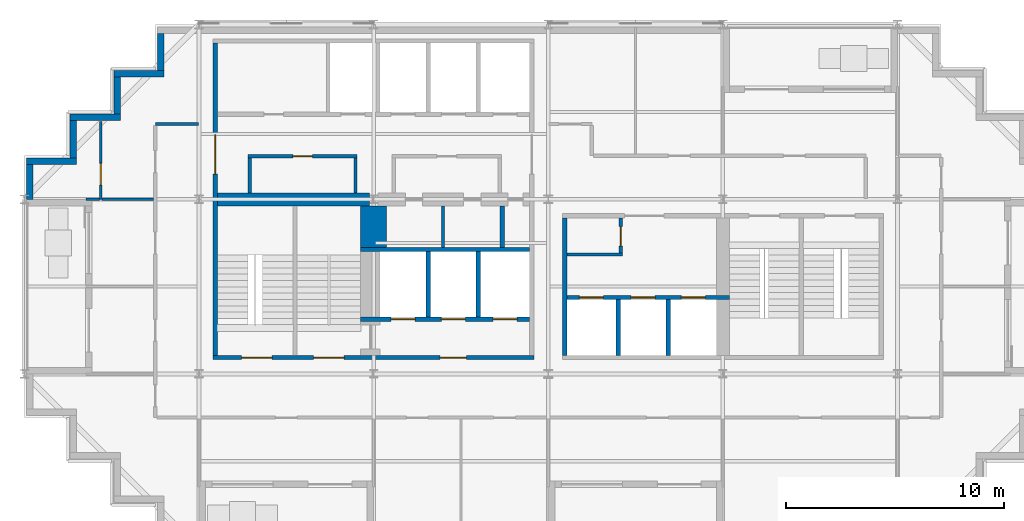
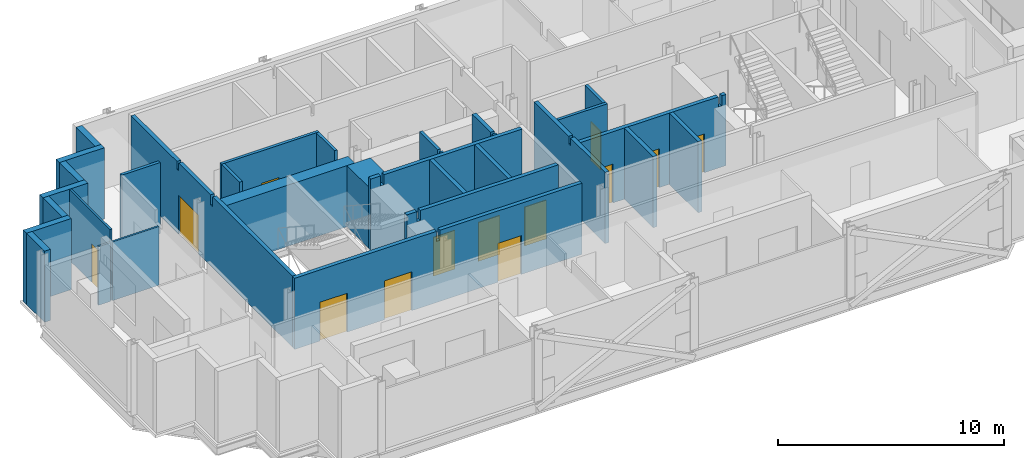
# One storey, part 5 of 10: 30 walls, 13 doors, 13 openings.
"""IFC4 building model written with IfcOpenShell, lengths in metres."""

from ifc_helpers import new_model, si_unit, direction, frame, frame_2d, origin, place, context, subcontext, project, spatial, polyline, rectangle, outline, extrude, material, layer, layer_set, type_object, element, fill, save


model = new_model("IFC4")

# Units and contexts
model_context = context("Model", 3, precision=1e-05, world=origin(), true_north=direction((0.0, 1.0)))
body_context = subcontext(model_context, "Body", "Model", "MODEL_VIEW")
ifc_project = project(units=[si_unit("LENGTHUNIT", "METRE"), si_unit("AREAUNIT", "SQUARE_METRE"), si_unit("VOLUMEUNIT", "CUBIC_METRE"), si_unit("PLANEANGLEUNIT", "RADIAN"), si_unit("MASSUNIT", "GRAM", prefix="KILO")], contexts=[model_context])

# Site, building, storey
site_placement = place(None, origin())
site = spatial("IfcSite", under=ifc_project, at=site_placement, CompositionType="ELEMENT")
building_placement = place(site_placement, origin())
building = spatial("IfcBuilding", under=site, at=building_placement, Name="Immortelle Media Tower", CompositionType="ELEMENT")
storey_placement = place(building_placement, frame((0.0, 0.0, 217.0)))
storey = spatial("IfcBuildingStorey", under=building, at=storey_placement, Name="L46", CompositionType="ELEMENT", Elevation=217.0)

# Wall
ifc_material_1 = material(Name="Fire-rated gypsum board", Category="gypsum")
ifc_layer_1 = layer(ifc_material_1, 0.02490234375)
ifc_material_2 = material(Name="Steel ASTM A653 SS Gr 50 stud frame with mineral wool", Category="steel")
ifc_layer_2 = layer(ifc_material_2, 0.10009765625)
ifc_layer_3 = layer(ifc_material_1, 0.02490234375)
ifc_layer_set_1 = layer_set([ifc_layer_1, ifc_layer_2, ifc_layer_3], Name="Steel ASTM A653 SS Gr 50 stud frame with mineral wool")
wall_type_1 = type_object("IfcWallType", Name="Core partition 150", PredefinedType="PARTITIONING", material=ifc_layer_set_1)
wall_1_placement = place(storey_placement, frame((10.324951171875, 16.300048828125, 0.0), z_axis=(0.0, 0.0, 1.0), x_axis=(0.0, 1.0, 0.0)))
element("IfcWall", 1, at=wall_1_placement, inside=storey, type_object=wall_type_1, Name="Core partition SW", PredefinedType="PARTITIONING", context=body_context, shape_type="SweptSolid", body=[
    extrude(rectangle(XDim=1.599853515625, YDim=0.14990234375, at=frame_2d((0.7998046875, 0.0))), origin(), (0.0, 0.0, 1.0), 3.85009765625),
])

# Wall, opening, door
wall_2_placement = place(storey_placement, frame((10.25, 17.97509765625, 0.0), z_axis=(0.0, 0.0, 1.0), x_axis=(1.0, 0.0, 0.0)))
wall_2 = element("IfcWall", 2, at=wall_2_placement, inside=storey, type_object=wall_type_1, Name="Core partition SW", PredefinedType="PARTITIONING", context=body_context, shape_type="SweptSolid", body=[
    extrude(rectangle(XDim=5.0, YDim=0.14990234375, at=frame_2d((2.5, 0.0))), origin(), (0.0, 0.0, 1.0), 3.85009765625),
])
opening_1_placement = place(wall_2_placement, frame((2.949951171875, 0.0, 0.0), z_axis=(0.0, 0.0, 1.0), x_axis=(-1.0, 0.0, 0.0)))
opening_1 = element("IfcOpeningElement", 3, at=opening_1_placement, cuts=wall_2, Name="Opening O4-K004", PredefinedType="OPENING", context=body_context, shape_type="SweptSolid", body=[
    extrude(rectangle(XDim=0.89990234375, YDim=2.10009765625, at=frame_2d((0.449951171875, 1.050048828125))), frame((0.0, 0.0849609375, 0.0), z_axis=(0.0, -1.0, 0.0), x_axis=(1.0, 0.0, 0.0)), (0.0, 0.0, 1.0), 0.169921875),
])
ifc_material_3 = material(Name="Timber", Category="wood")
door_type_1 = type_object("IfcDoorType", Name="Room door 900 x 2100", OperationType="NOTDEFINED", PredefinedType="NOTDEFINED", material=ifc_material_3)
door_1_placement = place(opening_1_placement, origin())
door_1 = element("IfcDoor", 4, at=door_1_placement, inside=storey, type_object=door_type_1, Name="Room O4-K004", OperationType="SINGLE_SWING_RIGHT", OverallHeight=2.10009765625, OverallWidth=0.89990234375, PredefinedType="NOTDEFINED", context=body_context, shape_type="SweptSolid", body=[
    extrude(rectangle(XDim=0.89990234375, YDim=2.10009765625, at=frame_2d((0.449951171875, 1.050048828125))), frame((0.0, 0.02490234375, 0.0), z_axis=(0.0, -1.0, 0.0), x_axis=(1.0, 0.0, 0.0)), (0.0, 0.0, 1.0), 0.050048828125),
])
fill(opening_1, door_1)

# Walls
wall_3_placement = place(storey_placement, frame((15.175048828125, 16.300048828125, 0.0), z_axis=(0.0, 0.0, 1.0), x_axis=(0.0, 1.0, 0.0)))
element("IfcWall", 5, at=wall_3_placement, inside=storey, type_object=wall_type_1, Name="Core partition SW", PredefinedType="PARTITIONING", context=body_context, shape_type="SweptSolid", body=[
    extrude(rectangle(XDim=1.599853515625, YDim=0.14990234375, at=frame_2d((0.7998046875, 0.0))), origin(), (0.0, 0.0, 1.0), 3.85009765625),
])
wall_4_placement = place(storey_placement, frame((19.175048828125, 13.800048828125, 0.0), z_axis=(0.0, 0.0, 1.0), x_axis=(0.0, 1.0, 0.0)))
element("IfcWall", 6, at=wall_4_placement, inside=storey, type_object=wall_type_1, Name="Core partition SW", PredefinedType="PARTITIONING", context=body_context, shape_type="SweptSolid", body=[
    extrude(outline(polyline([(0.0, 0.0), (1.89990234375, 0.0), (1.89990234375, 3.85009765625), (0.27490234375, 3.85009765625), (0.27392578125, 3.43994140625), (0.1259765625, 3.43994140625), (0.125, 3.85009765625), (0.0, 3.85009765625), (0.0, 0.0)])), frame((0.0, 0.074951171875, 0.0), z_axis=(0.0, -1.0, 0.0), x_axis=(1.0, 0.0, 0.0)), (0.0, 0.0, 1.0), 0.14990234375),
])
wall_5_placement = place(storey_placement, frame((24.85009765625, 13.47509765625, 0.0), z_axis=(0.0, 0.0, 1.0), x_axis=(1.0, 0.0, 0.0)))
element("IfcWall", 7, at=wall_5_placement, inside=storey, type_object=wall_type_1, Name="Core partition SE", PredefinedType="PARTITIONING", context=body_context, shape_type="SweptSolid", body=[
    extrude(rectangle(XDim=2.5498046875, YDim=0.14990234375, at=frame_2d((1.27490234375, 0.0))), origin(), (0.0, 0.0, 1.0), 3.85009765625),
])

# Wall, opening, door
wall_6_placement = place(storey_placement, frame((27.324951171875, 13.550048828125, 0.0), z_axis=(0.0, 0.0, 1.0), x_axis=(0.0, 1.0, 0.0)))
wall_6 = element("IfcWall", 8, at=wall_6_placement, inside=storey, type_object=wall_type_1, Name="Core partition SE", PredefinedType="PARTITIONING", context=body_context, shape_type="SweptSolid", body=[
    extrude(rectangle(XDim=1.599853515625, YDim=0.14990234375, at=frame_2d((0.7998046875, 0.0))), origin(), (0.0, 0.0, 1.0), 3.85009765625),
])
opening_2_placement = place(wall_6_placement, frame((0.300048828125, 0.0, 0.0)))
opening_2 = element("IfcOpeningElement", 9, at=opening_2_placement, cuts=wall_6, Name="Opening O4-K021", PredefinedType="OPENING", context=body_context, shape_type="SweptSolid", body=[
    extrude(rectangle(XDim=0.89990234375, YDim=2.10009765625, at=frame_2d((0.449951171875, 1.050048828125))), frame((0.0, 0.0849609375, 0.0), z_axis=(0.0, -1.0, 0.0), x_axis=(1.0, 0.0, 0.0)), (0.0, 0.0, 1.0), 0.169921875),
])
ifc_material_4 = material(Name="Galvanised steel door leaf and frame ASTM A653", Category="steel")
door_type_2 = type_object("IfcDoorType", Name="Service door 900 x 2100", OperationType="NOTDEFINED", PredefinedType="NOTDEFINED", material=ifc_material_4)
door_2_placement = place(opening_2_placement, origin())
door_2 = element("IfcDoor", 10, at=door_2_placement, inside=storey, type_object=door_type_2, Name="Service O4-K021", OperationType="SINGLE_SWING_LEFT", OverallHeight=2.10009765625, OverallWidth=0.89990234375, PredefinedType="NOTDEFINED", context=body_context, shape_type="SweptSolid", body=[
    extrude(rectangle(XDim=0.89990234375, YDim=2.10009765625, at=frame_2d((0.449951171875, 1.050048828125))), frame((0.0, 0.02490234375, 0.0), z_axis=(0.0, -1.0, 0.0), x_axis=(1.0, 0.0, 0.0)), (0.0, 0.0, 1.0), 0.050048828125),
])
fill(opening_2, door_2)

# Wall, openings, doors
ifc_layer_4 = layer(ifc_material_1, 0.03759765625)
ifc_layer_5 = layer(ifc_material_2, 0.125)
ifc_layer_6 = layer(ifc_material_1, 0.03759765625)
ifc_layer_set_2 = layer_set([ifc_layer_4, ifc_layer_5, ifc_layer_6], Name="Steel ASTM A653 SS Gr 50 stud frame with mineral wool")
wall_type_2 = type_object("IfcWallType", Name="Core shaft wall 200", PredefinedType="PARTITIONING", material=ifc_layer_set_2)
wall_7_placement = place(storey_placement, frame((15.39990234375, 10.5, 0.0), z_axis=(0.0, 0.0, 1.0), x_axis=(1.0, 0.0, 0.0)))
wall_7 = element("IfcWall", 11, at=wall_7_placement, inside=storey, type_object=wall_type_2, Name="Core shaft wall SW", PredefinedType="PARTITIONING", context=body_context, shape_type="SweptSolid", body=[
    extrude(outline(polyline([(0.0, 0.0), (7.75, 0.0), (7.75, 3.85009765625), (0.6884765625, 3.85009765625), (0.6875, 3.30810546875), (0.512451171875, 3.30810546875), (0.511474609375, 3.85009765625), (0.0, 3.85009765625), (0.0, 0.0)])), frame((0.0, 0.10009765625, 0.0), z_axis=(0.0, -1.0, 0.0), x_axis=(1.0, 0.0, 0.0)), (0.0, 0.0, 1.0), 0.199951171875),
])
opening_3_placement = place(wall_7_placement, frame((1.39990234375, 0.0, 0.0)))
opening_3 = element("IfcOpeningElement", 12, at=opening_3_placement, cuts=wall_7, Name="Opening LD", PredefinedType="OPENING", context=body_context, shape_type="SweptSolid", body=[
    extrude(rectangle(XDim=1.10009765625, YDim=2.10009765625, at=frame_2d((0.550048828125, 1.050048828125))), frame((0.0, 0.10986328125, 0.0), z_axis=(0.0, -1.0, 0.0), x_axis=(1.0, 0.0, 0.0)), (0.0, 0.0, 1.0), 0.219970703125),
])
opening_4_placement = place(wall_7_placement, frame((3.699951171875, 0.0, 0.0)))
opening_4 = element("IfcOpeningElement", 13, at=opening_4_placement, cuts=wall_7, Name="Opening LD", PredefinedType="OPENING", context=body_context, shape_type="SweptSolid", body=[
    extrude(rectangle(XDim=1.10009765625, YDim=2.10009765625, at=frame_2d((0.550048828125, 1.050048828125))), frame((0.0, 0.10986328125, 0.0), z_axis=(0.0, -1.0, 0.0), x_axis=(1.0, 0.0, 0.0)), (0.0, 0.0, 1.0), 0.219970703125),
])
opening_5_placement = place(wall_7_placement, frame((6.074951171875, 0.0, 0.0)))
opening_5 = element("IfcOpeningElement", 14, at=opening_5_placement, cuts=wall_7, Name="Opening LD", PredefinedType="OPENING", context=body_context, shape_type="SweptSolid", body=[
    extrude(rectangle(XDim=1.10009765625, YDim=2.10009765625, at=frame_2d((0.550048828125, 1.050048828125))), frame((0.0, 0.10986328125, 0.0), z_axis=(0.0, -1.0, 0.0), x_axis=(1.0, 0.0, 0.0)), (0.0, 0.0, 1.0), 0.219970703125),
])
ifc_material_5 = material(Name="Stainless steel AISI 304", Category="steel")
door_type_3 = type_object("IfcDoorType", Name="Landing door 1100 x 2100", OperationType="SLIDING_TO_LEFT", PredefinedType="NOTDEFINED", material=ifc_material_5)
door_3_placement = place(opening_3_placement, origin())
door_3 = element("IfcDoor", 15, at=door_3_placement, inside=storey, type_object=door_type_3, Name="Landing door FF1 L46", OperationType="SLIDING_TO_LEFT", OverallHeight=2.10009765625, OverallWidth=1.10009765625, PredefinedType="NOTDEFINED", context=body_context, shape_type="SweptSolid", body=[
    extrude(rectangle(XDim=1.10009765625, YDim=2.10009765625, at=frame_2d((0.550048828125, 1.050048828125))), frame((0.0, 0.02490234375, 0.0), z_axis=(0.0, -1.0, 0.0), x_axis=(1.0, 0.0, 0.0)), (0.0, 0.0, 1.0), 0.050048828125),
])
fill(opening_3, door_3)
door_4_placement = place(opening_4_placement, origin())
door_4 = element("IfcDoor", 16, at=door_4_placement, inside=storey, type_object=door_type_3, Name="Landing door FF2 L46", OperationType="SLIDING_TO_LEFT", OverallHeight=2.10009765625, OverallWidth=1.10009765625, PredefinedType="NOTDEFINED", context=body_context, shape_type="SweptSolid", body=[
    extrude(rectangle(XDim=1.10009765625, YDim=2.10009765625, at=frame_2d((0.550048828125, 1.050048828125))), frame((0.0, 0.02490234375, 0.0), z_axis=(0.0, -1.0, 0.0), x_axis=(1.0, 0.0, 0.0)), (0.0, 0.0, 1.0), 0.050048828125),
])
fill(opening_4, door_4)
door_5_placement = place(opening_5_placement, origin())
door_5 = element("IfcDoor", 17, at=door_5_placement, inside=storey, type_object=door_type_3, Name="Landing door FF3 L46", OperationType="SLIDING_TO_LEFT", OverallHeight=2.10009765625, OverallWidth=1.10009765625, PredefinedType="NOTDEFINED", context=body_context, shape_type="SweptSolid", body=[
    extrude(rectangle(XDim=1.10009765625, YDim=2.10009765625, at=frame_2d((0.550048828125, 1.050048828125))), frame((0.0, 0.02490234375, 0.0), z_axis=(0.0, -1.0, 0.0), x_axis=(1.0, 0.0, 0.0)), (0.0, 0.0, 1.0), 0.050048828125),
])
fill(opening_5, door_5)

# Walls
wall_8_placement = place(storey_placement, frame((15.39990234375, 13.699951171875, 0.0), z_axis=(0.0, 0.0, 1.0), x_axis=(1.0, 0.0, 0.0)))
element("IfcWall", 18, at=wall_8_placement, inside=storey, type_object=wall_type_2, Name="Core shaft wall SW", PredefinedType="PARTITIONING", context=body_context, shape_type="SweptSolid", body=[
    extrude(outline(polyline([(0.0, 0.0), (7.75, 0.0), (7.75, 3.85009765625), (0.6884765625, 3.85009765625), (0.6875, 3.30810546875), (0.512451171875, 3.30810546875), (0.511474609375, 3.85009765625), (0.0, 3.85009765625), (0.0, 0.0)])), frame((0.0, 0.10009765625, 0.0), z_axis=(0.0, -1.0, 0.0), x_axis=(1.0, 0.0, 0.0)), (0.0, 0.0, 1.0), 0.199951171875),
])
for number, where, z_axis, x_axis, name in (
    (19, (18.5, 10.60009765625, 0.0), (0.0, 0.0, 1.0), (0.0, 1.0, 0.0), "Core shaft wall SW"),
    (20, (20.800048828125, 10.60009765625, 0.0), (0.0, 0.0, 1.0), (0.0, 1.0, 0.0), "Core shaft wall SW"),
):
    element("IfcWall", number, at=place(storey_placement, frame(where, z_axis=z_axis, x_axis=x_axis)), inside=storey, type_object=wall_type_2, Name=name, PredefinedType="PARTITIONING", context=body_context, shape_type="SweptSolid", body=[
        extrude(rectangle(XDim=3.0, YDim=0.199951171875, at=frame_2d((1.5, 0.0))), origin(), (0.0, 0.0, 1.0), 3.85009765625),
    ])
wall_9_placement = place(storey_placement, frame((21.89990234375, 13.800048828125, 0.0), z_axis=(0.0, 0.0, 1.0), x_axis=(0.0, 1.0, 0.0)))
element("IfcWall", 21, at=wall_9_placement, inside=storey, type_object=wall_type_2, Name="Core shaft wall SW", PredefinedType="PARTITIONING", context=body_context, shape_type="SweptSolid", body=[
    extrude(outline(polyline([(0.0, 0.0), (1.89990234375, 0.0), (1.89990234375, 3.85009765625), (0.27490234375, 3.85009765625), (0.27392578125, 3.43994140625), (0.1259765625, 3.43994140625), (0.125, 3.85009765625), (0.0, 3.85009765625), (0.0, 0.0)])), frame((0.0, 0.10009765625, 0.0), z_axis=(0.0, -1.0, 0.0), x_axis=(1.0, 0.0, 0.0)), (0.0, 0.0, 1.0), 0.199951171875),
])
wall_10_placement = place(storey_placement, frame((24.75, 8.85009765625, 0.0), z_axis=(0.0, 0.0, 1.0), x_axis=(0.0, 1.0, 0.0)))
element("IfcWall", 22, at=wall_10_placement, inside=storey, type_object=wall_type_2, Name="Core shaft wall SE", PredefinedType="PARTITIONING", context=body_context, shape_type="SweptSolid", body=[
    extrude(outline(polyline([(0.0, 0.0), (6.2998046875, 0.0), (6.300048828125, 3.85009765625), (3.22509765625, 3.85009765625), (3.22412109375, 3.43994140625), (3.075927734375, 3.43994140625), (3.074951171875, 3.85009765625), (0.0, 3.85009765625), (0.0, 0.0)])), frame((0.0, 0.10009765625, 0.0), z_axis=(0.0, -1.0, 0.0), x_axis=(1.0, 0.0, 0.0)), (0.0, 0.0, 1.0), 0.199951171875),
])

# Wall, openings, doors
wall_11_placement = place(storey_placement, frame((24.85009765625, 11.5, 0.0), z_axis=(0.0, 0.0, 1.0), x_axis=(1.0, 0.0, 0.0)))
wall_11 = element("IfcWall", 23, at=wall_11_placement, inside=storey, type_object=wall_type_2, Name="Core shaft wall SE", PredefinedType="PARTITIONING", context=body_context, shape_type="SweptSolid", body=[
    extrude(outline(polyline([(0.0, 0.0), (7.449951171875, 0.0), (7.449951171875, 3.85009765625), (7.238525390625, 3.85009765625), (7.237548828125, 3.30810546875), (7.0625, 3.30810546875), (7.0615234375, 3.85009765625), (0.0, 3.85009765625), (0.0, 0.0)])), frame((0.0, 0.10009765625, 0.0), z_axis=(0.0, -1.0, 0.0), x_axis=(1.0, 0.0, 0.0)), (0.0, 0.0, 1.0), 0.199951171875),
])
opening_6_placement = place(wall_11_placement, frame((0.574951171875, 0.0, 0.0)))
opening_6 = element("IfcOpeningElement", 24, at=opening_6_placement, cuts=wall_11, Name="Opening LD", PredefinedType="OPENING", context=body_context, shape_type="SweptSolid", body=[
    extrude(rectangle(XDim=1.10009765625, YDim=2.10009765625, at=frame_2d((0.550048828125, 1.050048828125))), frame((0.0, 0.10986328125, 0.0), z_axis=(0.0, -1.0, 0.0), x_axis=(1.0, 0.0, 0.0)), (0.0, 0.0, 1.0), 0.219970703125),
])
opening_7_placement = place(wall_11_placement, frame((2.949951171875, 0.0, 0.0)))
opening_7 = element("IfcOpeningElement", 25, at=opening_7_placement, cuts=wall_11, Name="Opening LD", PredefinedType="OPENING", context=body_context, shape_type="SweptSolid", body=[
    extrude(rectangle(XDim=1.10009765625, YDim=2.10009765625, at=frame_2d((0.550048828125, 1.050048828125))), frame((0.0, 0.10986328125, 0.0), z_axis=(0.0, -1.0, 0.0), x_axis=(1.0, 0.0, 0.0)), (0.0, 0.0, 1.0), 0.219970703125),
])
opening_8_placement = place(wall_11_placement, frame((5.25, 0.0, 0.0)))
opening_8 = element("IfcOpeningElement", 26, at=opening_8_placement, cuts=wall_11, Name="Opening LD", PredefinedType="OPENING", context=body_context, shape_type="SweptSolid", body=[
    extrude(rectangle(XDim=1.10009765625, YDim=2.10009765625, at=frame_2d((0.550048828125, 1.050048828125))), frame((0.0, 0.10986328125, 0.0), z_axis=(0.0, -1.0, 0.0), x_axis=(1.0, 0.0, 0.0)), (0.0, 0.0, 1.0), 0.219970703125),
])
door_6_placement = place(opening_6_placement, origin())
door_6 = element("IfcDoor", 27, at=door_6_placement, inside=storey, type_object=door_type_3, Name="Landing door HS1 L46", OperationType="SLIDING_TO_LEFT", OverallHeight=2.10009765625, OverallWidth=1.10009765625, PredefinedType="NOTDEFINED", context=body_context, shape_type="SweptSolid", body=[
    extrude(rectangle(XDim=1.10009765625, YDim=2.10009765625, at=frame_2d((0.550048828125, 1.050048828125))), frame((0.0, 0.02490234375, 0.0), z_axis=(0.0, -1.0, 0.0), x_axis=(1.0, 0.0, 0.0)), (0.0, 0.0, 1.0), 0.050048828125),
])
fill(opening_6, door_6)
door_7_placement = place(opening_7_placement, origin())
door_7 = element("IfcDoor", 28, at=door_7_placement, inside=storey, type_object=door_type_3, Name="Landing door HS2 L46", OperationType="SLIDING_TO_LEFT", OverallHeight=2.10009765625, OverallWidth=1.10009765625, PredefinedType="NOTDEFINED", context=body_context, shape_type="SweptSolid", body=[
    extrude(rectangle(XDim=1.10009765625, YDim=2.10009765625, at=frame_2d((0.550048828125, 1.050048828125))), frame((0.0, 0.02490234375, 0.0), z_axis=(0.0, -1.0, 0.0), x_axis=(1.0, 0.0, 0.0)), (0.0, 0.0, 1.0), 0.050048828125),
])
fill(opening_7, door_7)
door_8_placement = place(opening_8_placement, origin())
door_8 = element("IfcDoor", 29, at=door_8_placement, inside=storey, type_object=door_type_3, Name="Landing door HS3 L46", OperationType="SLIDING_TO_LEFT", OverallHeight=2.10009765625, OverallWidth=1.10009765625, PredefinedType="NOTDEFINED", context=body_context, shape_type="SweptSolid", body=[
    extrude(rectangle(XDim=1.10009765625, YDim=2.10009765625, at=frame_2d((0.550048828125, 1.050048828125))), frame((0.0, 0.02490234375, 0.0), z_axis=(0.0, -1.0, 0.0), x_axis=(1.0, 0.0, 0.0)), (0.0, 0.0, 1.0), 0.050048828125),
])
fill(opening_8, door_8)

# Walls
for number, where, z_axis, x_axis, name in (
    (30, (27.199951171875, 8.85009765625, 0.0), (0.0, 0.0, 1.0), (0.0, 1.0, 0.0), "Core shaft wall SE"),
    (31, (29.5, 8.85009765625, 0.0), (0.0, 0.0, 1.0), (0.0, 1.0, 0.0), "Core shaft wall SE"),
):
    element("IfcWall", number, at=place(storey_placement, frame(where, z_axis=z_axis, x_axis=x_axis)), inside=storey, type_object=wall_type_2, Name=name, PredefinedType="PARTITIONING", context=body_context, shape_type="SweptSolid", body=[
        extrude(rectangle(XDim=2.5498046875, YDim=0.199951171875, at=frame_2d((1.27490234375, 0.0))), origin(), (0.0, 0.0, 1.0), 3.85009765625),
    ])
ifc_layer_7 = layer(ifc_material_1, 0.012451171875)
ifc_layer_8 = layer(ifc_material_2, 0.125)
ifc_layer_9 = layer(ifc_material_1, 0.012451171875)
ifc_layer_set_3 = layer_set([ifc_layer_7, ifc_layer_8, ifc_layer_9], Name="Steel ASTM A653 SS Gr 50 stud frame with mineral wool")
wall_type_3 = type_object("IfcWallType", Name="Corridor wall 150", PredefinedType="PARTITIONING", material=ifc_layer_set_3)
wall_12_placement = place(storey_placement, frame((6.0, 19.449951171875, 0.0), z_axis=(0.0, 0.0, 1.0), x_axis=(1.0, 0.0, 0.0)))
element("IfcWall", 32, at=wall_12_placement, inside=storey, type_object=wall_type_3, Name="Partition L46-026", PredefinedType="PARTITIONING", context=body_context, shape_type="SweptSolid", body=[
    extrude(rectangle(XDim=1.969970703125, YDim=0.14990234375, at=frame_2d((0.98486328125, 0.0))), origin(), (0.0, 0.0, 1.0), 3.85009765625),
])
ifc_material_6 = material(Name="Pale aluminium cladding panel", Category="aluminium")
ifc_layer_10 = layer(ifc_material_6, 0.030029296875)
ifc_layer_11 = layer(ifc_material_2, 0.257568359375)
ifc_material_7 = material(Name="Moisture-resistant gypsum board", Category="gypsum")
ifc_layer_12 = layer(ifc_material_7, 0.012451171875)
ifc_layer_set_4 = layer_set([ifc_layer_10, ifc_layer_11, ifc_layer_12], Name="Steel ASTM A653 SS Gr 50 stud frame with mineral wool")
wall_type_4 = type_object("IfcWallType", Name="Facade wall 300", PredefinedType="SOLIDWALL", material=ifc_layer_set_4)
wall_13_placement = place(storey_placement, frame((6.25, 23.60009765625, 0.0), z_axis=(0.0, 0.0, 1.0), x_axis=(0.0, -1.0, 0.0)))
element("IfcWall", 33, at=wall_13_placement, inside=storey, type_object=wall_type_4, Name="Facade wall L46 W21", PredefinedType="SOLIDWALL", context=body_context, shape_type="SweptSolid", body=[
    extrude(rectangle(XDim=1.7001953125, YDim=0.300048828125, at=frame_2d((0.85009765625, 0.0))), origin(), (0.0, 0.0, 1.0), 3.85009765625),
])
wall_14_placement = place(storey_placement, frame((6.39990234375, 21.75, 0.0), z_axis=(0.0, 0.0, 1.0), x_axis=(-1.0, 0.0, 0.0)))
element("IfcWall", 34, at=wall_14_placement, inside=storey, type_object=wall_type_4, Name="Facade wall L46 N22", PredefinedType="SOLIDWALL", context=body_context, shape_type="SweptSolid", body=[
    extrude(rectangle(XDim=2.2998046875, YDim=0.300048828125, at=frame_2d((1.14990234375, 0.0))), origin(), (0.0, 0.0, 1.0), 3.85009765625),
])
wall_15_placement = place(storey_placement, frame((4.25, 21.60009765625, 0.0), z_axis=(0.0, 0.0, 1.0), x_axis=(0.0, -1.0, 0.0)))
element("IfcWall", 35, at=wall_15_placement, inside=storey, type_object=wall_type_4, Name="Facade wall L46 W23", PredefinedType="SOLIDWALL", context=body_context, shape_type="SweptSolid", body=[
    extrude(rectangle(XDim=1.7001953125, YDim=0.300048828125, at=frame_2d((0.85009765625, 0.0))), origin(), (0.0, 0.0, 1.0), 3.85009765625),
])
wall_16_placement = place(storey_placement, frame((4.39990234375, 19.75, 0.0), z_axis=(0.0, 0.0, 1.0), x_axis=(-1.0, 0.0, 0.0)))
element("IfcWall", 36, at=wall_16_placement, inside=storey, type_object=wall_type_4, Name="Facade wall L46 N24", PredefinedType="SOLIDWALL", context=body_context, shape_type="SweptSolid", body=[
    extrude(rectangle(XDim=2.2998046875, YDim=0.300048828125, at=frame_2d((1.14990234375, 0.0))), origin(), (0.0, 0.0, 1.0), 3.85009765625),
])
wall_17_placement = place(storey_placement, frame((2.25, 19.60009765625, 0.0), z_axis=(0.0, 0.0, 1.0), x_axis=(0.0, -1.0, 0.0)))
element("IfcWall", 37, at=wall_17_placement, inside=storey, type_object=wall_type_4, Name="Facade wall L46 W25", PredefinedType="SOLIDWALL", context=body_context, shape_type="SweptSolid", body=[
    extrude(rectangle(XDim=1.7001953125, YDim=0.300048828125, at=frame_2d((0.85009765625, 0.0))), origin(), (0.0, 0.0, 1.0), 3.85009765625),
])
wall_18_placement = place(storey_placement, frame((2.39990234375, 17.75, 0.0), z_axis=(0.0, 0.0, 1.0), x_axis=(-1.0, 0.0, 0.0)))
element("IfcWall", 38, at=wall_18_placement, inside=storey, type_object=wall_type_4, Name="Facade wall L46 N26", PredefinedType="SOLIDWALL", context=body_context, shape_type="SweptSolid", body=[
    extrude(rectangle(XDim=2.2998046875, YDim=0.300048828125, at=frame_2d((1.14990234375, 0.0))), origin(), (0.0, 0.0, 1.0), 3.85009765625),
])
wall_19_placement = place(storey_placement, frame((0.25, 17.60009765625, 0.0), z_axis=(0.0, 0.0, 1.0), x_axis=(0.0, -1.0, 0.0)))
element("IfcWall", 39, at=wall_19_placement, inside=storey, type_object=wall_type_4, Name="Facade wall L46 W27", PredefinedType="SOLIDWALL", context=body_context, shape_type="SweptSolid", body=[
    extrude(rectangle(XDim=1.60009765625, YDim=0.300048828125, at=frame_2d((0.800048828125, 0.0))), origin(), (0.0, 0.0, 1.0), 3.85009765625),
])
ifc_material_8 = material(Name="Gypsum board", Category="gypsum")
ifc_layer_13 = layer(ifc_material_8, 0.012451171875)
ifc_layer_14 = layer(ifc_material_2, 0.074951171875)
ifc_layer_15 = layer(ifc_material_8, 0.012451171875)
ifc_layer_set_5 = layer_set([ifc_layer_13, ifc_layer_14, ifc_layer_15], Name="Steel ASTM A653 SS Gr 50 stud frame with mineral wool")
wall_type_5 = type_object("IfcWallType", Name="Partition 100", PredefinedType="PARTITIONING", material=ifc_layer_set_5)
wall_20_placement = place(storey_placement, frame((2.830078125, 16.0, 0.0), z_axis=(0.0, 0.0, 1.0), x_axis=(1.0, 0.0, 0.0)))
element("IfcWall", 40, at=wall_20_placement, inside=storey, type_object=wall_type_5, Name="Partition L46-014", PredefinedType="PARTITIONING", context=body_context, shape_type="SweptSolid", body=[
    extrude(rectangle(XDim=0.619873046875, YDim=0.10009765625, at=frame_2d((0.31005859375, 0.0))), origin(), (0.0, 0.0, 1.0), 3.172119140625),
])
wall_21_placement = place(storey_placement, frame((3.550048828125, 16.0, 0.0), z_axis=(0.0, 0.0, 1.0), x_axis=(1.0, 0.0, 0.0)))
element("IfcWall", 41, at=wall_21_placement, inside=storey, type_object=wall_type_5, Name="Partition L46-015", PredefinedType="PARTITIONING", context=body_context, shape_type="SweptSolid", body=[
    extrude(rectangle(XDim=2.375, YDim=0.10009765625, at=frame_2d((1.1875, 0.0))), origin(), (0.0, 0.0, 1.0), 3.172119140625),
])

# Wall, opening, door
wall_22_placement = place(storey_placement, frame((3.5, 16.0, 0.0), z_axis=(0.0, 0.0, 1.0), x_axis=(0.0, 1.0, 0.0)))
wall_22 = element("IfcWall", 42, at=wall_22_placement, inside=storey, type_object=wall_type_5, Name="Partition L46-016", PredefinedType="PARTITIONING", context=body_context, shape_type="SweptSolid", body=[
    extrude(rectangle(XDim=3.570068359375, YDim=0.10009765625, at=frame_2d((1.78515625, 0.0))), origin(), (0.0, 0.0, 1.0), 3.85009765625),
])
opening_9_placement = place(wall_22_placement, frame((1.64990234375, 0.0, 0.0), z_axis=(0.0, 0.0, 1.0), x_axis=(-1.0, 0.0, 0.0)))
opening_9 = element("IfcOpeningElement", 43, at=opening_9_placement, cuts=wall_22, Name="Opening O4-F013", PredefinedType="OPENING", context=body_context, shape_type="SweptSolid", body=[
    extrude(rectangle(XDim=1.0, YDim=2.10009765625, at=frame_2d((0.5, 1.050048828125))), frame((0.0, 0.06005859375, 0.0), z_axis=(0.0, -1.0, 0.0), x_axis=(1.0, 0.0, 0.0)), (0.0, 0.0, 1.0), 0.1201171875),
])
ifc_material_9 = material(Name="Timber veneered door leaf, galvanised steel frame ASTM A653", Category="steel")
door_type_4 = type_object("IfcDoorType", Name="Room door 1000 x 2100", OperationType="NOTDEFINED", PredefinedType="DOOR", material=ifc_material_9)
door_9_placement = place(opening_9_placement, origin())
door_9 = element("IfcDoor", 44, at=door_9_placement, inside=storey, type_object=door_type_4, Name="Door O4-F013", OperationType="SINGLE_SWING_RIGHT", OverallHeight=2.10009765625, OverallWidth=1.0, PredefinedType="DOOR", context=body_context, shape_type="SweptSolid", body=[
    extrude(rectangle(XDim=1.0, YDim=2.10009765625, at=frame_2d((0.5, 1.050048828125))), frame((0.0, 0.02490234375, 0.0), z_axis=(0.0, -1.0, 0.0), x_axis=(1.0, 0.0, 0.0)), (0.0, 0.0, 1.0), 0.050048828125),
])
fill(opening_9, door_9)

# Wall
ifc_material_10 = material(Name="Concrete C60", Category="concrete")
ifc_layer_16 = layer(ifc_material_10, 1.199951171875)
ifc_layer_set_6 = layer_set([ifc_layer_16], Name="Concrete C60")
wall_type_6 = type_object("IfcWallType", Name="Stair shaft wall 1200", PredefinedType="PARTITIONING", material=ifc_layer_set_6)
wall_23_placement = place(storey_placement, frame((16.0, 13.800048828125, 0.0), z_axis=(0.0, 0.0, 1.0), x_axis=(0.0, 1.0, 0.0)))
element("IfcWall", 45, at=wall_23_placement, inside=storey, type_object=wall_type_6, Name="Stair shaft wall SW", PredefinedType="PARTITIONING", context=body_context, shape_type="SweptSolid", body=[
    extrude(rectangle(XDim=1.89990234375, YDim=1.199951171875, at=frame_2d((0.949951171875, 0.0))), origin(), (0.0, 0.0, 1.0), 3.30810546875),
])

# Wall, openings, doors
ifc_layer_17 = layer(ifc_material_10, 0.199951171875)
ifc_layer_set_7 = layer_set([ifc_layer_17], Name="Concrete C60")
wall_type_7 = type_object("IfcWallType", Name="Stair shaft wall 200", PredefinedType="PARTITIONING", material=ifc_layer_set_7)
wall_24_placement = place(storey_placement, frame((8.64990234375, 8.75, 0.0), z_axis=(0.0, 0.0, 1.0), x_axis=(1.0, 0.0, 0.0)))
wall_24 = element("IfcWall", 46, at=wall_24_placement, inside=storey, type_object=wall_type_7, Name="Stair shaft wall SW", PredefinedType="PARTITIONING", context=body_context, shape_type="SweptSolid", body=[
    extrude(outline(polyline([(0.0, 0.0), (14.7001953125, 0.0), (14.699951171875, 3.85009765625), (7.4384765625, 3.85009765625), (7.4375, 3.30810546875), (7.262451171875, 3.30810546875), (7.261474609375, 3.85009765625), (0.0, 3.85009765625), (0.0, 0.0)])), frame((0.0, 0.10009765625, 0.0), z_axis=(0.0, -1.0, 0.0), x_axis=(1.0, 0.0, 0.0)), (0.0, 0.0, 1.0), 0.199951171875),
])
opening_10_placement = place(wall_24_placement, frame((1.300048828125, 0.0, 0.0)))
opening_10 = element("IfcOpeningElement", 47, at=opening_10_placement, cuts=wall_24, Name="Opening O4-K002", PredefinedType="OPENING", context=body_context, shape_type="SweptSolid", body=[
    extrude(rectangle(XDim=1.39990234375, YDim=2.10009765625, at=frame_2d((0.699951171875, 1.050048828125))), frame((0.0, 0.10986328125, 0.0), z_axis=(0.0, -1.0, 0.0), x_axis=(1.0, 0.0, 0.0)), (0.0, 0.0, 1.0), 0.219970703125),
])
opening_11_placement = place(wall_24_placement, frame((4.60009765625, 0.0, 0.0)))
opening_11 = element("IfcOpeningElement", 48, at=opening_11_placement, cuts=wall_24, Name="Opening O4-K005", PredefinedType="OPENING", context=body_context, shape_type="SweptSolid", body=[
    extrude(rectangle(XDim=1.39990234375, YDim=2.10009765625, at=frame_2d((0.699951171875, 1.050048828125))), frame((0.0, 0.10986328125, 0.0), z_axis=(0.0, -1.0, 0.0), x_axis=(1.0, 0.0, 0.0)), (0.0, 0.0, 1.0), 0.219970703125),
])
opening_12_placement = place(wall_24_placement, frame((10.39990234375, 0.0, 0.0)))
opening_12 = element("IfcOpeningElement", 49, at=opening_12_placement, cuts=wall_24, Name="Opening O4-K012", PredefinedType="OPENING", context=body_context, shape_type="SweptSolid", body=[
    extrude(rectangle(XDim=1.199951171875, YDim=2.10009765625, at=frame_2d((0.60009765625, 1.050048828125))), frame((0.0, 0.10986328125, 0.0), z_axis=(0.0, -1.0, 0.0), x_axis=(1.0, 0.0, 0.0)), (0.0, 0.0, 1.0), 0.219970703125),
])
door_type_5 = type_object("IfcDoorType", Name="Fire-fighting lobby door 1200 x 2100", OperationType="NOTDEFINED", PredefinedType="NOTDEFINED", material=ifc_material_4)
door_10_placement = place(opening_12_placement, origin())
door_10 = element("IfcDoor", 50, at=door_10_placement, inside=storey, type_object=door_type_5, Name="Fire-fighting lobby O4-K012", OperationType="SINGLE_SWING_RIGHT", OverallHeight=2.10009765625, OverallWidth=1.199951171875, PredefinedType="NOTDEFINED", context=body_context, shape_type="SweptSolid", body=[
    extrude(rectangle(XDim=1.199951171875, YDim=2.10009765625, at=frame_2d((0.60009765625, 1.050048828125))), frame((0.0, 0.02490234375, 0.0), z_axis=(0.0, -1.0, 0.0), x_axis=(1.0, 0.0, 0.0)), (0.0, 0.0, 1.0), 0.050048828125),
])
fill(opening_12, door_10)
door_type_6 = type_object("IfcDoorType", Name="Stair door 1400 x 2100", OperationType="DOUBLE_DOOR_SINGLE_SWING", PredefinedType="NOTDEFINED", material=ifc_material_4)
door_11_placement = place(opening_10_placement, origin())
door_11 = element("IfcDoor", 51, at=door_11_placement, inside=storey, type_object=door_type_6, Name="Stair O4-K002", OperationType="DOUBLE_DOOR_SINGLE_SWING", OverallHeight=2.10009765625, OverallWidth=1.39990234375, PredefinedType="NOTDEFINED", context=body_context, shape_type="SweptSolid", body=[
    extrude(rectangle(XDim=1.39990234375, YDim=2.10009765625, at=frame_2d((0.699951171875, 1.050048828125))), frame((0.0, 0.02490234375, 0.0), z_axis=(0.0, -1.0, 0.0), x_axis=(1.0, 0.0, 0.0)), (0.0, 0.0, 1.0), 0.050048828125),
])
fill(opening_10, door_11)
door_12_placement = place(opening_11_placement, origin())
door_12 = element("IfcDoor", 52, at=door_12_placement, inside=storey, type_object=door_type_6, Name="Stair O4-K005", OperationType="DOUBLE_DOOR_SINGLE_SWING", OverallHeight=2.10009765625, OverallWidth=1.39990234375, PredefinedType="NOTDEFINED", context=body_context, shape_type="SweptSolid", body=[
    extrude(rectangle(XDim=1.39990234375, YDim=2.10009765625, at=frame_2d((0.699951171875, 1.050048828125))), frame((0.0, 0.02490234375, 0.0), z_axis=(0.0, -1.0, 0.0), x_axis=(1.0, 0.0, 0.0)), (0.0, 0.0, 1.0), 0.050048828125),
])
fill(opening_11, door_12)

# Wall, opening, door
wall_25_placement = place(storey_placement, frame((8.75, 8.85009765625, 0.0), z_axis=(0.0, 0.0, 1.0), x_axis=(0.0, 1.0, 0.0)))
wall_25 = element("IfcWall", 53, at=wall_25_placement, inside=storey, type_object=wall_type_7, Name="Stair shaft wall SW", PredefinedType="PARTITIONING", context=body_context, shape_type="SweptSolid", body=[
    extrude(outline(polyline([(0.0, 0.0), (14.2998046875, 0.0), (14.300048828125, 3.85009765625), (10.22509765625, 3.85009765625), (10.22412109375, 3.43994140625), (10.075927734375, 3.43994140625), (10.074951171875, 3.85009765625), (7.238525390625, 3.85009765625), (7.237548828125, 3.30810546875), (7.0625, 3.30810546875), (7.0615234375, 3.85009765625), (0.0, 3.85009765625), (0.0, 0.0)])), frame((0.0, 0.10009765625, 0.0), z_axis=(0.0, -1.0, 0.0), x_axis=(1.0, 0.0, 0.0)), (0.0, 0.0, 1.0), 0.199951171875),
])
opening_13_placement = place(wall_25_placement, frame((8.300048828125, 0.0, 0.0)))
opening_13 = element("IfcOpeningElement", 54, at=opening_13_placement, cuts=wall_25, Name="Opening O4-K001", PredefinedType="OPENING", context=body_context, shape_type="SweptSolid", body=[
    extrude(rectangle(XDim=1.800048828125, YDim=2.10009765625, at=frame_2d((0.89990234375, 1.050048828125))), frame((0.0, 0.10986328125, 0.0), z_axis=(0.0, -1.0, 0.0), x_axis=(1.0, 0.0, 0.0)), (0.0, 0.0, 1.0), 0.219970703125),
])
door_type_7 = type_object("IfcDoorType", Name="Lift lobby door 1800 x 2100", OperationType="DOUBLE_DOOR_SINGLE_SWING", PredefinedType="NOTDEFINED", material=ifc_material_4)
door_13_placement = place(opening_13_placement, origin())
door_13 = element("IfcDoor", 55, at=door_13_placement, inside=storey, type_object=door_type_7, Name="Lift lobby O4-K001", OperationType="DOUBLE_DOOR_SINGLE_SWING", OverallHeight=2.10009765625, OverallWidth=1.800048828125, PredefinedType="NOTDEFINED", context=body_context, shape_type="SweptSolid", body=[
    extrude(rectangle(XDim=1.800048828125, YDim=2.10009765625, at=frame_2d((0.89990234375, 1.050048828125))), frame((0.0, 0.02490234375, 0.0), z_axis=(0.0, -1.0, 0.0), x_axis=(1.0, 0.0, 0.0)), (0.0, 0.0, 1.0), 0.050048828125),
])
fill(opening_13, door_13)

# Wall
ifc_layer_18 = layer(ifc_material_10, 0.60009765625)
ifc_layer_set_8 = layer_set([ifc_layer_18], Name="Concrete C60")
wall_type_8 = type_object("IfcWallType", Name="Stair shaft wall 600", PredefinedType="PARTITIONING", material=ifc_layer_set_8)
wall_26_placement = place(storey_placement, frame((8.85009765625, 16.0, 0.0), z_axis=(0.0, 0.0, 1.0), x_axis=(1.0, 0.0, 0.0)))
element("IfcWall", 56, at=wall_26_placement, inside=storey, type_object=wall_type_8, Name="Stair shaft wall SW", PredefinedType="PARTITIONING", context=body_context, shape_type="SweptSolid", body=[
    extrude(rectangle(XDim=6.953369140625, YDim=0.60009765625, at=frame_2d((3.4765625, 0.0))), origin(), (0.0, 0.0, 1.0), 3.30810546875),
])

save(model, "model.ifc")
